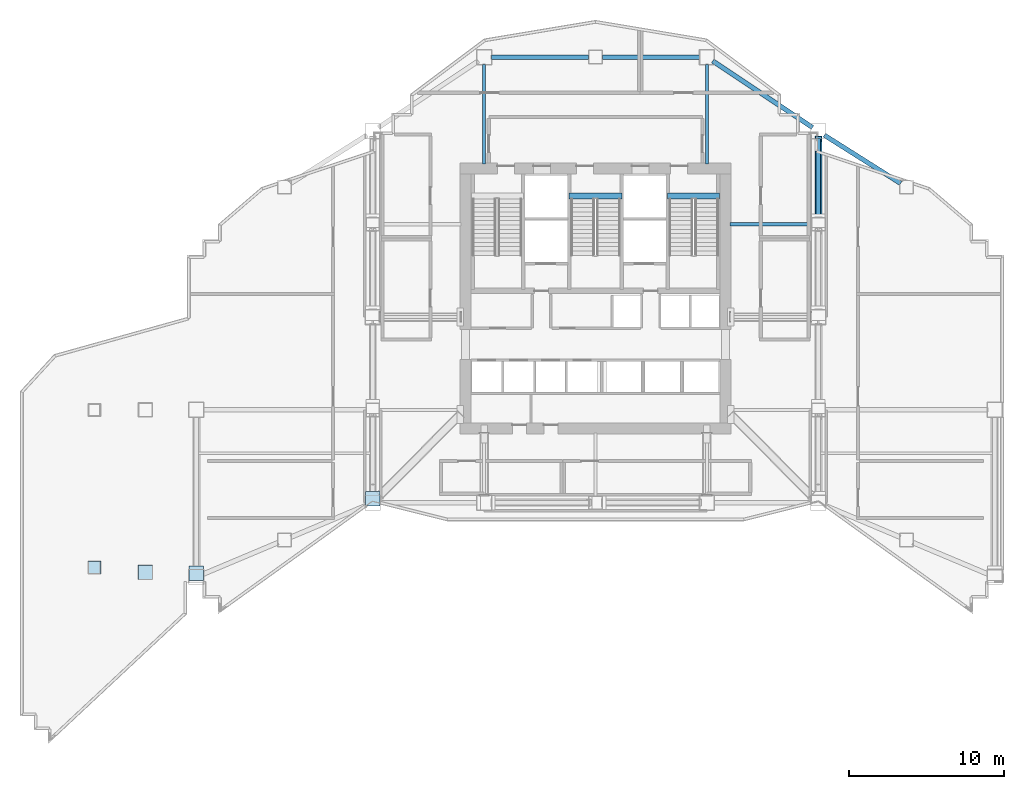
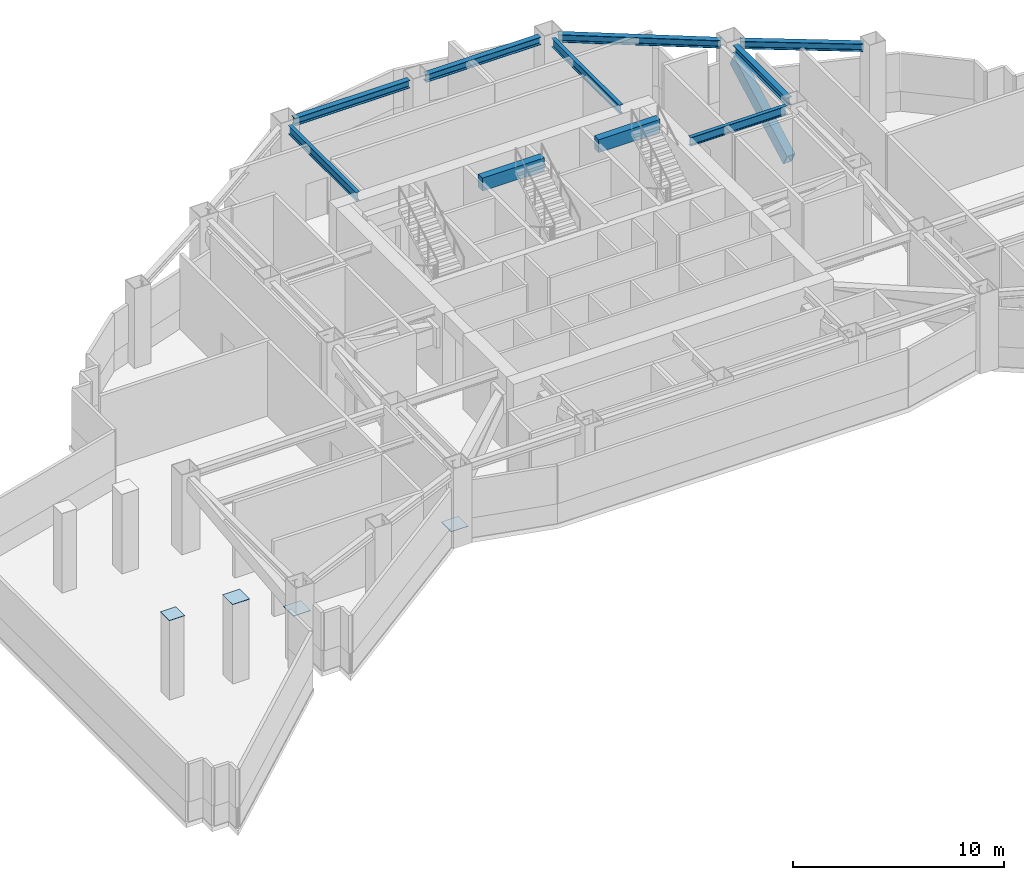
# One storey, part 2 of 24: 10 beams, 4 plates, 1 member.
"""IFC4 building model written with IfcOpenShell, lengths in metres."""

from ifc_helpers import new_model, si_unit, direction, frame, origin, origin_2d, place, context, subcontext, project, spatial, rectangle, hollow_rectangle, i_section, extrude, material, layer, layer_set, material_profile, profile_set, type_object, element, save


model = new_model("IFC4")

# Units and contexts
model_context = context("Model", 3, precision=1e-05, world=origin(), true_north=direction((0.0, 1.0)))
body_context = subcontext(model_context, "Body", "Model", "MODEL_VIEW")
ifc_project = project(units=[si_unit("LENGTHUNIT", "METRE"), si_unit("AREAUNIT", "SQUARE_METRE"), si_unit("VOLUMEUNIT", "CUBIC_METRE"), si_unit("PLANEANGLEUNIT", "RADIAN"), si_unit("MASSUNIT", "GRAM", prefix="KILO")], contexts=[model_context])

# Site, building, storey
site_placement = place(None, origin())
site = spatial("IfcSite", under=ifc_project, at=site_placement, CompositionType="ELEMENT")
building_placement = place(site_placement, origin())
building = spatial("IfcBuilding", under=site, at=building_placement, Name="Haolan Belvedere Tower", CompositionType="ELEMENT")
storey_placement = place(building_placement, frame((0.0, 0.0, 160.0)))
storey = spatial("IfcBuildingStorey", under=building, at=storey_placement, Name="L40", CompositionType="ELEMENT", Elevation=160.0)

# Beams
ifc_material_1 = material(Name="Steel Q355B", Category="steel")
ifc_material_profile_1 = material_profile(ifc_material_1, i_section(OverallWidth=0.300048828125, OverallDepth=0.43994140625, WebThickness=0.010986328125, FlangeThickness=0.01806640625, FilletRadius=0.02392578125, at=origin_2d()), Name="Steel Q355B")
ifc_profile_set_1 = profile_set([ifc_material_profile_1], Name="Steel Q355B")
beam_type_1 = type_object("IfcBeamType", Name="BM-HM440x300x11x18", PredefinedType="SPANDREL", material=ifc_profile_set_1)
beam_1_placement = place(storey_placement, frame((52.800048828125, 40.050048828125, 4.1298828125), z_axis=(0.0, 1.0, 0.0), x_axis=(-1.0, 0.0, 0.0)))
element("IfcBeam", 1, at=beam_1_placement, inside=storey, type_object=beam_type_1, Name="L40 spandrel girder TC-T3-E2-MC-T3-NE", PredefinedType="SPANDREL", context=body_context, shape_type="SweptSolid", body=[
    extrude(i_section(OverallWidth=0.300048828125, OverallDepth=0.43994140625, WebThickness=0.010986328125, FlangeThickness=0.01806640625, FilletRadius=0.02392578125, at=origin_2d()), origin(), (0.0, 0.0, 1.0), 5.099853515625),
])
beam_2_placement = place(storey_placement, frame((31.64990234375, 50.39990234375, 4.1298828125), z_axis=(1.0, 0.0, 0.0), x_axis=(0.0, 1.0, 0.0)))
element("IfcBeam", 2, at=beam_2_placement, inside=storey, type_object=beam_type_1, Name="L40 spandrel girder MC-T3-N1-TC-T3-NM", PredefinedType="SPANDREL", context=body_context, shape_type="SweptSolid", body=[
    extrude(i_section(OverallWidth=0.300048828125, OverallDepth=0.43994140625, WebThickness=0.010986328125, FlangeThickness=0.01806640625, FilletRadius=0.02392578125, at=origin_2d()), origin(), (0.0, 0.0, 1.0), 6.300048828125),
])
beam_3_placement = place(storey_placement, frame((38.85009765625, 50.39990234375, 4.1298828125), z_axis=(1.0, 0.0, 0.0), x_axis=(0.0, 1.0, 0.0)))
element("IfcBeam", 3, at=beam_3_placement, inside=storey, type_object=beam_type_1, Name="L40 spandrel girder TC-T3-NM-MC-T3-N2", PredefinedType="SPANDREL", context=body_context, shape_type="SweptSolid", body=[
    extrude(i_section(OverallWidth=0.300048828125, OverallDepth=0.43994140625, WebThickness=0.010986328125, FlangeThickness=0.01806640625, FilletRadius=0.02392578125, at=origin_2d()), origin(), (0.0, 0.0, 1.0), 6.2998046875),
])
beam_4_placement = place(storey_placement, frame((45.974365234375, 50.150390625, 4.1298828125), z_axis=(0.832050294338, -0.554700196225, 0.0), x_axis=(0.554700196225, 0.832050294338, 0.0)))
element("IfcBeam", 4, at=beam_4_placement, inside=storey, type_object=beam_type_1, Name="L40 spandrel girder MC-T3-N2-MC-T3-NE", PredefinedType="SPANDREL", context=body_context, shape_type="SweptSolid", body=[
    extrude(i_section(OverallWidth=0.300048828125, OverallDepth=0.43994140625, WebThickness=0.010986328125, FlangeThickness=0.01806640625, FilletRadius=0.02392578125, at=origin_2d()), origin(), (0.0, 0.0, 1.0), 7.75341796875),
])
beam_5_placement = place(storey_placement, frame((53.180419921875, 45.359619140625, 4.1298828125), z_axis=(0.845497840649, -0.533978839898, 0.0), x_axis=(0.533978839898, 0.845497840649, 0.0)))
element("IfcBeam", 5, at=beam_5_placement, inside=storey, type_object=beam_type_1, Name="L40 spandrel girder MC-T3-NE-TC-T4-N1", PredefinedType="SPANDREL", context=body_context, shape_type="SweptSolid", body=[
    extrude(i_section(OverallWidth=0.300048828125, OverallDepth=0.43994140625, WebThickness=0.010986328125, FlangeThickness=0.01806640625, FilletRadius=0.02392578125, at=origin_2d()), origin(), (0.0, 0.0, 1.0), 5.841796875),
])
ifc_material_profile_2 = material_profile(ifc_material_1, i_section(OverallWidth=0.199951171875, OverallDepth=0.5, WebThickness=0.010009765625, FlangeThickness=0.01611328125, FilletRadius=0.02001953125, at=origin_2d()), Name="Steel Q355B")
ifc_profile_set_2 = profile_set([ifc_material_profile_2], Name="Steel Q355B")
beam_type_2 = type_object("IfcBeamType", Name="BM-HN500x200x10x16", PredefinedType="BEAM", material=ifc_profile_set_2)
beam_6_placement = place(storey_placement, frame((52.35009765625, 39.60009765625, 4.10009765625), z_axis=(-1.0, 0.0, 0.0), x_axis=(0.0, -1.0, 0.0)))
element("IfcBeam", 6, at=beam_6_placement, inside=storey, type_object=beam_type_2, Name="L40 core tie beam from TC-T3-E2", PredefinedType="BEAM", context=body_context, shape_type="SweptSolid", body=[
    extrude(i_section(OverallWidth=0.199951171875, OverallDepth=0.5, WebThickness=0.010009765625, FlangeThickness=0.01611328125, FilletRadius=0.02001953125, at=origin_2d()), origin(), (0.0, 0.0, 1.0), 5.25),
])
for number, where, z_axis, x_axis, name in (
    (7, (31.199951171875, 49.949951171875, 4.10009765625), (0.0, -1.0, 0.0), (1.0, 0.0, 0.0), "L40 core tie beam from MC-T3-N1"),
    (8, (45.60009765625, 49.949951171875, 4.10009765625), (0.0, -1.0, 0.0), (1.0, 0.0, 0.0), "L40 core tie beam from MC-T3-N2"),
):
    element("IfcBeam", number, at=place(storey_placement, frame(where, z_axis=z_axis, x_axis=x_axis)), inside=storey, type_object=beam_type_2, Name=name, PredefinedType="BEAM", context=body_context, shape_type="SweptSolid", body=[
        extrude(i_section(OverallWidth=0.199951171875, OverallDepth=0.5, WebThickness=0.010009765625, FlangeThickness=0.01611328125, FilletRadius=0.02001953125, at=origin_2d()), origin(), (0.0, 0.0, 1.0), 6.449951171875),
    ])
ifc_material_2 = material(Name="Concrete C50/60", Category="concrete")
ifc_material_profile_3 = material_profile(ifc_material_2, rectangle(XDim=0.39990234375, YDim=0.75, at=origin_2d()), Name="Concrete C50/60")
ifc_profile_set_3 = profile_set([ifc_material_profile_3], Name="Concrete C50/60")
beam_type_3 = type_object("IfcBeamType", Name="BM-RC400x750", PredefinedType="T_BEAM", material=ifc_profile_set_3)
beam_7_placement = place(storey_placement, frame((36.699951171875, 41.429931640625, 4.22509765625), z_axis=(1.0, 0.0, 0.0), x_axis=(0.0, 1.0, 0.0)))
element("IfcBeam", 9, at=beam_7_placement, inside=storey, type_object=beam_type_3, Name="L41 stair ST3 RC header trimmer beam", PredefinedType="BEAM", context=body_context, shape_type="SweptSolid", body=[
    extrude(rectangle(XDim=0.39990234375, YDim=0.75, at=origin_2d()), origin(), (0.0, 0.0, 1.0), 3.400146484375),
])
beam_8_placement = place(storey_placement, frame((43.06005859375, 41.429931640625, 4.22509765625), z_axis=(1.0, 0.0, 0.0), x_axis=(0.0, 1.0, 0.0)))
element("IfcBeam", 10, at=beam_8_placement, inside=storey, type_object=beam_type_3, Name="L41 stair ST2 RC header trimmer beam", PredefinedType="BEAM", context=body_context, shape_type="SweptSolid", body=[
    extrude(rectangle(XDim=0.39990234375, YDim=0.75, at=origin_2d()), origin(), (0.0, 0.0, 1.0), 3.35986328125),
])

# Member
ifc_material_3 = material(Name="Steel Q390GJC", Category="steel")
ifc_material_profile_4 = material_profile(ifc_material_3, hollow_rectangle(XDim=0.449951171875, YDim=0.75, WallThickness=0.028076171875, at=origin_2d()), Name="Steel Q390GJC")
ifc_profile_set_4 = profile_set([ifc_material_profile_4], Name="Steel Q390GJC")
member_type = type_object("IfcMemberType", Name="MEM-BOX750x450x28", PredefinedType="BRACE", material=ifc_profile_set_4)
member_placement = place(storey_placement, frame((52.800048828125, 40.0400390625, 0.800048828125), z_axis=(0.0, 0.879022234273, 0.476780779451), x_axis=(-1.0, 0.0, 0.0)))
element("IfcMember", 11, at=member_placement, inside=storey, type_object=member_type, Name="L40 belt truss diagonal BT-E4", PredefinedType="BRACE", context=body_context, shape_type="SweptSolid", body=[
    extrude(hollow_rectangle(XDim=0.449951171875, YDim=0.75, WallThickness=0.028076171875, at=origin_2d()), origin(), (0.0, 0.0, 1.0), 5.767822265625),
])

# Plates
ifc_layer_1 = layer(ifc_material_1, 0.02490234375, Name="Steel Q355B")
ifc_layer_set_1 = layer_set([ifc_layer_1], Name="Steel Q355B")
plate_type_1 = type_object("IfcPlateType", Name="PL-CAP-25", PredefinedType="SHEET", material=ifc_layer_set_1)
plate_1_placement = place(storey_placement, frame((6.0, 17.39990234375, 4.60009765625), z_axis=(0.0, 0.0, 1.0), x_axis=(1.0, 0.0, 0.0)))
element("IfcPlate", 12, at=plate_1_placement, inside=storey, type_object=plate_type_1, Name="Hollow steel end-cap plate COL-L40-MC-T1-SW-TCAP", PredefinedType="SHEET", context=body_context, shape_type="SweptSolid", body=[
    extrude(rectangle(XDim=0.840087890625, YDim=0.840087890625, at=origin_2d()), origin(), (0.0, 0.0, 1.0), 0.02490234375),
])
plate_2_placement = place(storey_placement, frame((9.300048828125, 17.10009765625, 4.60009765625), z_axis=(0.0, 0.0, 1.0), x_axis=(1.0, 0.0, 0.0)))
element("IfcPlate", 13, at=plate_2_placement, inside=storey, type_object=plate_type_1, Name="Hollow steel end-cap plate COL-L40-TC-T1-M1-TCAP", PredefinedType="SHEET", context=body_context, shape_type="SweptSolid", body=[
    extrude(rectangle(XDim=0.93994140625, YDim=0.93994140625, at=origin_2d()), origin(), (0.0, 0.0, 1.0), 0.02490234375),
])
ifc_layer_2 = layer(ifc_material_3, 0.035888671875, Name="Steel Q390GJC")
ifc_layer_set_2 = layer_set([ifc_layer_2], Name="Steel Q390GJC")
plate_type_2 = type_object("IfcPlateType", Name="PL-NODE-NP03", PredefinedType="USERDEFINED", material=ifc_layer_set_2)
for number, where, z_axis, x_axis, name in (
    (14, (24.0, 21.844970703125, 0.7822265625), (0.0, 0.0, 1.0), (1.0, 0.0, 0.0), "NP-03 belt truss node plate L40 BT-W1"),
    (15, (12.60009765625, 17.044921875, 2.80224609375), (0.0, 0.0, 1.0), (1.0, 0.0, 0.0), "NP-03 belt truss node plate L40 BT-T2"),
):
    element("IfcPlate", number, at=place(storey_placement, frame(where, z_axis=z_axis, x_axis=x_axis)), inside=storey, type_object=plate_type_2, Name=name, ObjectType="GUSSET", PredefinedType="USERDEFINED", context=body_context, shape_type="SweptSolid", body=[
        extrude(rectangle(XDim=0.93994140625, YDim=0.93994140625, at=origin_2d()), origin(), (0.0, 0.0, 1.0), 0.035888671875),
    ])

save(model, "model.ifc")
